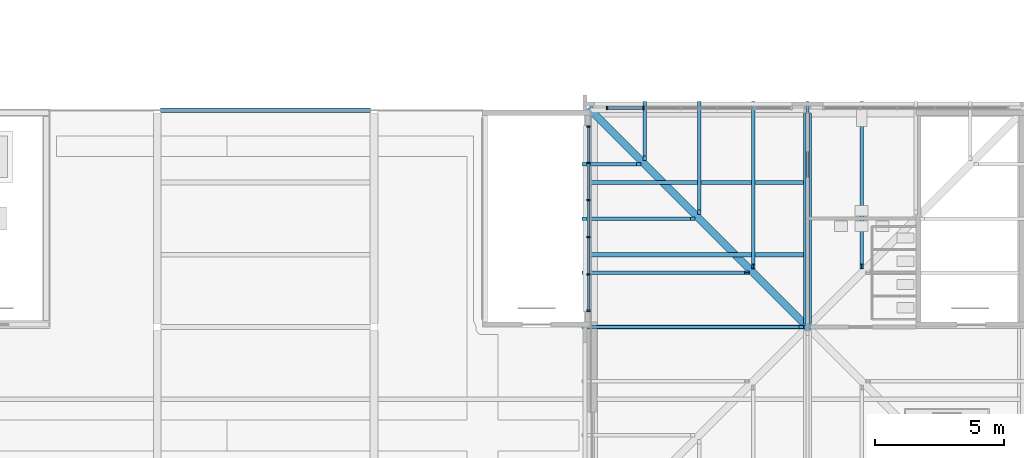
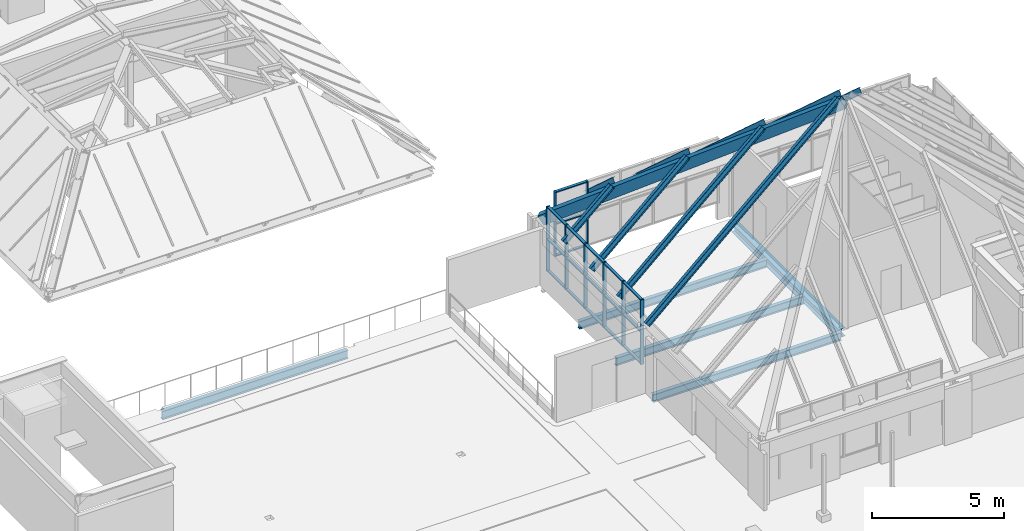
# One storey, part 37 of 126: 35 members, 6 beams, 2 elements without a shape of their own.
"""IFC4 building model written with IfcOpenShell, lengths in metres."""

from ifc_helpers import new_model, si_unit, direction, frame, origin, origin_2d, place, context, subcontext, project, spatial, polyline, rectangle, i_section, outline, extrude, material, material_profile, profile_set, type_object, element, aggregate, save


model = new_model("IFC4")

# Units and contexts
model_context = context("Model", 3, precision=1e-05, world=origin(), true_north=direction((0.0, 1.0)))
body_context = subcontext(model_context, "Body", "Model", "MODEL_VIEW")
ifc_project = project(units=[si_unit("LENGTHUNIT", "METRE"), si_unit("AREAUNIT", "SQUARE_METRE"), si_unit("VOLUMEUNIT", "CUBIC_METRE"), si_unit("PLANEANGLEUNIT", "RADIAN"), si_unit("MASSUNIT", "GRAM", prefix="KILO")], contexts=[model_context])

# Site, building, storey
site_placement = place(None, origin())
site = spatial("IfcSite", under=ifc_project, at=site_placement, CompositionType="ELEMENT")
building_placement = place(site_placement, origin())
building = spatial("IfcBuilding", under=site, at=building_placement, Name="Sava Quay Ferry Terminal", CompositionType="ELEMENT")
storey_placement = place(building_placement, frame((0.0, 0.0, 15.0)))
storey = spatial("IfcBuildingStorey", under=building, at=storey_placement, Name="L03", CompositionType="ELEMENT", Elevation=15.0)

# Beams
ifc_material_1 = material(Name="Steel S355", Category="steel")
ifc_material_profile_1 = material_profile(ifc_material_1, i_section(OverallWidth=0.169921875, OverallDepth=0.360107421875, WebThickness=0.008056640625, FlangeThickness=0.0126953125, at=origin_2d()), Name="IPE 360")
ifc_profile_set_1 = profile_set([ifc_material_profile_1], Name="Steel S355")
beam_type_1 = type_object("IfcBeamType", Name="Beam IPE 360", PredefinedType="BEAM", material=ifc_profile_set_1)
beam_1_placement = place(storey_placement, frame((109.199951171875, 42.0, -0.31005859375), z_axis=(1.0, 0.0, 0.0), x_axis=(0.0, 1.0, 0.0)))
element("IfcBeam", 1, at=beam_1_placement, inside=storey, type_object=beam_type_1, Name="Beam L03", PredefinedType="BEAM", context=body_context, shape_type="SweptSolid", body=[
    extrude(i_section(OverallWidth=0.169921875, OverallDepth=0.360107421875, WebThickness=0.008056640625, FlangeThickness=0.0126953125, at=origin_2d()), origin(), (0.0, 0.0, 1.0), 8.27001953125),
])
for number, where, z_axis, x_axis, name in (
    (2, (109.199951171875, 44.800048828125, -0.31005859375), (1.0, 0.0, 0.0), (0.0, 1.0, 0.0), "Secondary beam L03"),
    (3, (109.199951171875, 47.60009765625, -0.31005859375), (1.0, 0.0, 0.0), (0.0, 1.0, 0.0), "Secondary beam L03"),
):
    element("IfcBeam", number, at=place(storey_placement, frame(where, z_axis=z_axis, x_axis=x_axis)), inside=storey, type_object=beam_type_1, Name=name, PredefinedType="BEAM", context=body_context, shape_type="SweptSolid", body=[
        extrude(i_section(OverallWidth=0.169921875, OverallDepth=0.360107421875, WebThickness=0.008056640625, FlangeThickness=0.0126953125, at=origin_2d()), origin(), (0.0, 0.0, 1.0), 8.25),
    ])
ifc_material_2 = material(Name="Steel S355", Category="steel")
ifc_material_profile_2 = material_profile(ifc_material_2, i_section(OverallWidth=0.179931640625, OverallDepth=0.39990234375, WebThickness=0.008544921875, FlangeThickness=0.013427734375, at=origin_2d()), Name="IPE 400")
ifc_profile_set_2 = profile_set([ifc_material_profile_2], Name="Steel S355")
beam_type_2 = type_object("IfcBeamType", Name="Beam IPE 400", PredefinedType="BEAM", material=ifc_profile_set_2)
beam_2_placement = place(storey_placement, frame((92.530029296875, 50.39990234375, -0.35009765625), z_axis=(1.0, 0.0, 0.0), x_axis=(0.0, 1.0, 0.0)))
element("IfcBeam", 4, at=beam_2_placement, inside=storey, type_object=beam_type_2, Name="Beam L03", PredefinedType="BEAM", context=body_context, shape_type="SweptSolid", body=[
    extrude(i_section(OverallWidth=0.179931640625, OverallDepth=0.39990234375, WebThickness=0.008544921875, FlangeThickness=0.013427734375, at=origin_2d()), origin(), (0.0, 0.0, 1.0), 8.139892578125),
])
ifc_material_3 = material(Name="Steel S355", Category="steel")
ifc_material_profile_3 = material_profile(ifc_material_3, outline(polyline([(-0.14990234375, -0.228515625), (0.14990234375, -0.228515625), (0.14990234375, 0.228515625), (-0.14990234375, 0.228515625), (-0.14990234375, -0.228515625)]), holes=[polyline([(-0.1298828125, -0.20849609375), (-0.1298828125, 0.20849609375), (0.1298828125, 0.20849609375), (0.1298828125, -0.20849609375), (-0.1298828125, -0.20849609375)])]), Name="Box 457x300x20 built-up")
ifc_profile_set_3 = profile_set([ifc_material_profile_3], Name="Steel S355")
beam_type_3 = type_object("IfcBeamType", Name="Fascia beam Box 457x300x20", PredefinedType="BEAM", material=ifc_profile_set_3)
beam_3_placement = place(storey_placement, frame((109.199951171875, 50.39990234375, 2.89990234375), z_axis=(0.596480074169, -0.59646273816, 0.53706957008), x_axis=(0.707096505339, 0.707117056885, 0.0)))
element("IfcBeam", 5, at=beam_3_placement, inside=storey, type_object=beam_type_3, Name="East pavilion hip fascia beam HI2", PredefinedType="BEAM", context=body_context, shape_type="SweptSolid", body=[
    extrude(outline(polyline([(-0.14990234375, -0.228515625), (0.14990234375, -0.228515625), (0.14990234375, 0.228515625), (-0.14990234375, 0.228515625), (-0.14990234375, -0.228515625)]), holes=[polyline([(-0.1298828125, -0.20849609375), (-0.1298828125, 0.20849609375), (0.1298828125, 0.20849609375), (0.1298828125, -0.20849609375), (-0.1298828125, -0.20849609375)])]), origin(), (0.0, 0.0, 1.0), 14.082763671875),
])
ifc_material_4 = material(Name="Steel S355", Category="steel")
ifc_material_profile_4 = material_profile(ifc_material_4, i_section(OverallWidth=0.300048828125, OverallDepth=0.389892578125, WebThickness=0.010986328125, FlangeThickness=0.01904296875, at=origin_2d()), Name="HE 400 A")
ifc_profile_set_4 = profile_set([ifc_material_profile_4], Name="Steel S355")
beam_type_4 = type_object("IfcBeamType", Name="Girder HE 400 A", PredefinedType="BEAM", material=ifc_profile_set_4)
beam_4_placement = place(storey_placement, frame((117.60009765625, 42.1298828125, -0.324951171875), z_axis=(0.0, 1.0, 0.0), x_axis=(-1.0, 0.0, 0.0)))
element("IfcBeam", 6, at=beam_4_placement, inside=storey, type_object=beam_type_4, Name="Girder L03", PredefinedType="BEAM", context=body_context, shape_type="SweptSolid", body=[
    extrude(i_section(OverallWidth=0.300048828125, OverallDepth=0.389892578125, WebThickness=0.010986328125, FlangeThickness=0.01904296875, at=origin_2d()), origin(), (0.0, 0.0, 1.0), 8.14013671875),
])

# Curtain wall, members
ifc_material_5 = material(Name="Aluminium and glass curtain wall, double low-e glazed", Category="aluminium")
curtain_wall_type = type_object("IfcCurtainWallType", Name="Curtain wall CW-F flank", PredefinedType="NOTDEFINED", material=ifc_material_5)
curtain_wall_1_placement = place(storey_placement, origin())
curtain_wall_1 = element("IfcCurtainWall", 7, at=curtain_wall_1_placement, inside=storey, type_object=curtain_wall_type, Name="Curtain wall P-PAV-N L03 bay 1", PredefinedType="NOTDEFINED")
ifc_material_6 = material(Name="Aluminium EN AW-6063 T6", Category="aluminium")
ifc_material_profile_5 = material_profile(ifc_material_6, rectangle(XDim=0.14990234375, YDim=0.06005859375, at=origin_2d()), Name="Mullion 60x150 aluminium")
ifc_profile_set_5 = profile_set([ifc_material_profile_5], Name="Aluminium EN AW-6063 T6")
member_type_1 = type_object("IfcMemberType", Name="Mullion 60x150 aluminium", PredefinedType="MULLION", material=ifc_profile_set_5)
member_1_placement = place(storey_placement, frame((109.830078125, 50.485107421875, 0.89990234375), z_axis=(0.0, 0.0, 1.0), x_axis=(0.0, 1.0, 0.0)))
member_1 = element("IfcMember", 8, at=member_1_placement, type_object=member_type_1, Name="CW115 mullion 1", PredefinedType="MULLION", context=body_context, shape_type="SweptSolid", body=[
    extrude(rectangle(XDim=0.14990234375, YDim=0.06005859375, at=origin_2d()), origin(), (0.0, 0.0, 1.0), 3.0),
])
member_2_placement = place(storey_placement, frame((111.239990234375, 50.485107421875, 0.89990234375), z_axis=(0.0, 0.0, 1.0), x_axis=(0.0, 1.0, 0.0)))
member_2 = element("IfcMember", 9, at=member_2_placement, type_object=member_type_1, Name="CW115 mullion 2", PredefinedType="MULLION", context=body_context, shape_type="SweptSolid", body=[
    extrude(rectangle(XDim=0.14990234375, YDim=0.06005859375, at=origin_2d()), origin(), (0.0, 0.0, 1.0), 3.0),
])

curtain_wall_2_placement = place(storey_placement, origin())
curtain_wall_2 = element("IfcCurtainWall", 10, at=curtain_wall_2_placement, inside=storey, type_object=curtain_wall_type, Name="Curtain wall P-PAV-W L03 bay 2", PredefinedType="NOTDEFINED")
member_3_placement = place(storey_placement, frame((109.114990234375, 42.6298828125, 0.89990234375), z_axis=(0.0, 0.0, 1.0), x_axis=(-1.0, 0.0, 0.0)))
member_3 = element("IfcMember", 11, at=member_3_placement, type_object=member_type_1, Name="CW118 mullion 1", PredefinedType="MULLION", context=body_context, shape_type="SweptSolid", body=[
    extrude(rectangle(XDim=0.14990234375, YDim=0.06005859375, at=origin_2d()), origin(), (0.0, 0.0, 1.0), 3.0),
])
member_4_placement = place(storey_placement, frame((109.114990234375, 44.0400390625, 0.89990234375), z_axis=(0.0, 0.0, 1.0), x_axis=(-1.0, 0.0, 0.0)))
member_4 = element("IfcMember", 12, at=member_4_placement, type_object=member_type_1, Name="CW118 mullion 2", PredefinedType="MULLION", context=body_context, shape_type="SweptSolid", body=[
    extrude(rectangle(XDim=0.14990234375, YDim=0.06005859375, at=origin_2d()), origin(), (0.0, 0.0, 1.0), 3.0),
])
member_5_placement = place(storey_placement, frame((109.114990234375, 45.47998046875, 0.89990234375), z_axis=(0.0, 0.0, 1.0), x_axis=(-1.0, 0.0, 0.0)))
member_5 = element("IfcMember", 13, at=member_5_placement, type_object=member_type_1, Name="CW118 mullion 3", PredefinedType="MULLION", context=body_context, shape_type="SweptSolid", body=[
    extrude(rectangle(XDim=0.14990234375, YDim=0.06005859375, at=origin_2d()), origin(), (0.0, 0.0, 1.0), 3.0),
])
member_6_placement = place(storey_placement, frame((109.114990234375, 46.919921875, 0.89990234375), z_axis=(0.0, 0.0, 1.0), x_axis=(-1.0, 0.0, 0.0)))
member_6 = element("IfcMember", 14, at=member_6_placement, type_object=member_type_1, Name="CW118 mullion 4", PredefinedType="MULLION", context=body_context, shape_type="SweptSolid", body=[
    extrude(rectangle(XDim=0.14990234375, YDim=0.06005859375, at=origin_2d()), origin(), (0.0, 0.0, 1.0), 3.0),
])
member_7_placement = place(storey_placement, frame((109.114990234375, 48.360107421875, 0.89990234375), z_axis=(0.0, 0.0, 1.0), x_axis=(-1.0, 0.0, 0.0)))
member_7 = element("IfcMember", 15, at=member_7_placement, type_object=member_type_1, Name="CW118 mullion 5", PredefinedType="MULLION", context=body_context, shape_type="SweptSolid", body=[
    extrude(rectangle(XDim=0.14990234375, YDim=0.06005859375, at=origin_2d()), origin(), (0.0, 0.0, 1.0), 3.0),
])
member_8_placement = place(storey_placement, frame((109.114990234375, 49.77001953125, 0.89990234375), z_axis=(0.0, 0.0, 1.0), x_axis=(-1.0, 0.0, 0.0)))
member_8 = element("IfcMember", 16, at=member_8_placement, type_object=member_type_1, Name="CW118 mullion 6", PredefinedType="MULLION", context=body_context, shape_type="SweptSolid", body=[
    extrude(rectangle(XDim=0.14990234375, YDim=0.06005859375, at=origin_2d()), origin(), (0.0, 0.0, 1.0), 3.0),
])

# Members
ifc_material_7 = material(Name="Steel S355", Category="steel")
ifc_material_profile_6 = material_profile(ifc_material_7, i_section(OverallWidth=0.135009765625, OverallDepth=0.27001953125, WebThickness=0.006591796875, FlangeThickness=0.01025390625, at=origin_2d()), Name="IPE 270")
ifc_profile_set_6 = profile_set([ifc_material_profile_6], Name="Steel S355")
member_type_2 = type_object("IfcMemberType", Name="Roof rafter IPE 270", PredefinedType="RAFTER", material=ifc_profile_set_6)
member_9_placement = place(storey_placement, frame((119.699951171875, 50.643310546875, 3.170166015625), z_axis=(0.0, -0.743143770971, 0.669131777505), x_axis=(1.0, 0.0, 0.0)))
element("IfcMember", 17, at=member_9_placement, inside=storey, type_object=member_type_2, Name="East pavilion rafter RA17", PredefinedType="RAFTER", context=body_context, shape_type="SweptSolid", body=[
    extrude(i_section(OverallWidth=0.135009765625, OverallDepth=0.27001953125, WebThickness=0.006591796875, FlangeThickness=0.01025390625, at=origin_2d()), origin(), (0.0, 0.0, 1.0), 8.4775390625),
])
member_10_placement = place(storey_placement, frame((117.60009765625, 50.643310546875, 3.170166015625), z_axis=(0.0, -0.74314699448, 0.66912819743), x_axis=(1.0, 0.0, 0.0)))
element("IfcMember", 18, at=member_10_placement, inside=storey, type_object=member_type_2, Name="East pavilion rafter RA18", PredefinedType="RAFTER", context=body_context, shape_type="SweptSolid", body=[
    extrude(i_section(OverallWidth=0.135009765625, OverallDepth=0.27001953125, WebThickness=0.006591796875, FlangeThickness=0.01025390625, at=origin_2d()), origin(), (0.0, 0.0, 1.0), 11.303466796875),
])
member_11_placement = place(storey_placement, frame((115.5, 50.643310546875, 3.170166015625), z_axis=(0.0, -0.743143770971, 0.669131777505), x_axis=(1.0, 0.0, 0.0)))
element("IfcMember", 19, at=member_11_placement, inside=storey, type_object=member_type_2, Name="East pavilion rafter RA19", PredefinedType="RAFTER", context=body_context, shape_type="SweptSolid", body=[
    extrude(i_section(OverallWidth=0.135009765625, OverallDepth=0.27001953125, WebThickness=0.006591796875, FlangeThickness=0.01025390625, at=origin_2d()), origin(), (0.0, 0.0, 1.0), 8.4775390625),
])
member_12_placement = place(storey_placement, frame((113.39990234375, 50.643310546875, 3.170166015625), z_axis=(0.0, -0.743156664694, 0.669117457342), x_axis=(1.0, 0.0, 0.0)))
element("IfcMember", 20, at=member_12_placement, inside=storey, type_object=member_type_2, Name="East pavilion rafter RA20", PredefinedType="RAFTER", context=body_context, shape_type="SweptSolid", body=[
    extrude(i_section(OverallWidth=0.135009765625, OverallDepth=0.27001953125, WebThickness=0.006591796875, FlangeThickness=0.01025390625, at=origin_2d()), origin(), (0.0, 0.0, 1.0), 5.65185546875),
])
for number, where, z_axis, x_axis, name in (
    (21, (111.300048828125, 50.643310546875, 3.170166015625), (0.0, -0.743156664694, 0.669117457342), (1.0, 0.0, 0.0), "East pavilion rafter RA21"),
    (22, (108.956787109375, 48.300048828125, 3.170166015625), (0.743156664694, 0.0, 0.669117457342), (0.0, 1.0, 0.0), "East pavilion rafter RA22"),
):
    element("IfcMember", number, at=place(storey_placement, frame(where, z_axis=z_axis, x_axis=x_axis)), inside=storey, type_object=member_type_2, Name=name, PredefinedType="RAFTER", context=body_context, shape_type="SweptSolid", body=[
        extrude(i_section(OverallWidth=0.135009765625, OverallDepth=0.27001953125, WebThickness=0.006591796875, FlangeThickness=0.01025390625, at=origin_2d()), origin(), (0.0, 0.0, 1.0), 2.825927734375),
    ])
member_13_placement = place(storey_placement, frame((108.956787109375, 46.199951171875, 3.170166015625), z_axis=(0.743137323799, 0.0, 0.669138937723), x_axis=(0.0, 1.0, 0.0)))
element("IfcMember", 23, at=member_13_placement, inside=storey, type_object=member_type_2, Name="East pavilion rafter RA23", PredefinedType="RAFTER", context=body_context, shape_type="SweptSolid", body=[
    extrude(i_section(OverallWidth=0.135009765625, OverallDepth=0.27001953125, WebThickness=0.006591796875, FlangeThickness=0.01025390625, at=origin_2d()), origin(), (0.0, 0.0, 1.0), 5.651611328125),
])
member_14_placement = place(storey_placement, frame((108.956787109375, 44.10009765625, 3.170166015625), z_axis=(0.743143770971, 0.0, 0.669131777505), x_axis=(0.0, 1.0, 0.0)))
element("IfcMember", 24, at=member_14_placement, inside=storey, type_object=member_type_2, Name="East pavilion rafter RA24", PredefinedType="RAFTER", context=body_context, shape_type="SweptSolid", body=[
    extrude(i_section(OverallWidth=0.135009765625, OverallDepth=0.27001953125, WebThickness=0.006591796875, FlangeThickness=0.01025390625, at=origin_2d()), origin(), (0.0, 0.0, 1.0), 8.4775390625),
])
member_15_placement = place(storey_placement, frame((108.956787109375, 42.0, 3.170166015625), z_axis=(0.743137323799, 0.0, 0.669138937723), x_axis=(0.0, 1.0, 0.0)))
element("IfcMember", 25, at=member_15_placement, inside=storey, type_object=member_type_2, Name="East pavilion rafter RA25", PredefinedType="RAFTER", context=body_context, shape_type="SweptSolid", body=[
    extrude(i_section(OverallWidth=0.135009765625, OverallDepth=0.27001953125, WebThickness=0.006591796875, FlangeThickness=0.01025390625, at=origin_2d()), origin(), (0.0, 0.0, 1.0), 11.30322265625),
])

# Member
ifc_material_8 = material(Name="Aluminium EN AW-6063 T6", Category="aluminium")
ifc_material_profile_7 = material_profile(ifc_material_8, rectangle(XDim=0.1201171875, YDim=0.050048828125, at=origin_2d()), Name="Transom 50x120 aluminium")
ifc_profile_set_7 = profile_set([ifc_material_profile_7], Name="Aluminium EN AW-6063 T6")
member_type_3 = type_object("IfcMemberType", Name="Transom 50x120 aluminium", PredefinedType="USERDEFINED", material=ifc_profile_set_7)
member_16_placement = place(storey_placement, frame((109.860107421875, 50.485107421875, 0.925048828125), z_axis=(1.0, 0.0, 0.0), x_axis=(0.0, 1.0, 0.0)))
member_16 = element("IfcMember", 26, at=member_16_placement, type_object=member_type_3, Name="CW115 transom 1.1", ObjectType="TRANSOM", PredefinedType="USERDEFINED", context=body_context, shape_type="SweptSolid", body=[
    extrude(rectangle(XDim=0.1201171875, YDim=0.050048828125, at=origin_2d()), origin(), (0.0, 0.0, 1.0), 1.349853515625),
])

member_17_placement = place(storey_placement, frame((109.860107421875, 50.485107421875, 2.39990234375), z_axis=(1.0, 0.0, 0.0), x_axis=(0.0, 1.0, 0.0)))
member_17 = element("IfcMember", 27, at=member_17_placement, type_object=member_type_3, Name="CW115 transom 1.2", ObjectType="TRANSOM", PredefinedType="USERDEFINED", context=body_context, shape_type="SweptSolid", body=[
    extrude(rectangle(XDim=0.1201171875, YDim=0.050048828125, at=origin_2d()), origin(), (0.0, 0.0, 1.0), 1.349853515625),
])

member_18_placement = place(storey_placement, frame((109.860107421875, 50.485107421875, 3.875), z_axis=(1.0, 0.0, 0.0), x_axis=(0.0, 1.0, 0.0)))
member_18 = element("IfcMember", 28, at=member_18_placement, type_object=member_type_3, Name="CW115 transom 1.3", ObjectType="TRANSOM", PredefinedType="USERDEFINED", context=body_context, shape_type="SweptSolid", body=[
    extrude(rectangle(XDim=0.1201171875, YDim=0.050048828125, at=origin_2d()), origin(), (0.0, 0.0, 1.0), 1.349853515625),
])

aggregate(curtain_wall_1, [member_1, member_2, member_16, member_17, member_18])

member_19_placement = place(storey_placement, frame((109.114990234375, 42.659912109375, 0.925048828125), z_axis=(0.0, 1.0, 0.0), x_axis=(-1.0, 0.0, 0.0)))
member_19 = element("IfcMember", 29, at=member_19_placement, type_object=member_type_3, Name="CW118 transom 1.1", ObjectType="TRANSOM", PredefinedType="USERDEFINED", context=body_context, shape_type="SweptSolid", body=[
    extrude(rectangle(XDim=0.1201171875, YDim=0.050048828125, at=origin_2d()), origin(), (0.0, 0.0, 1.0), 1.35009765625),
])

member_20_placement = place(storey_placement, frame((109.114990234375, 42.659912109375, 2.39990234375), z_axis=(0.0, 1.0, 0.0), x_axis=(-1.0, 0.0, 0.0)))
member_20 = element("IfcMember", 30, at=member_20_placement, type_object=member_type_3, Name="CW118 transom 1.2", ObjectType="TRANSOM", PredefinedType="USERDEFINED", context=body_context, shape_type="SweptSolid", body=[
    extrude(rectangle(XDim=0.1201171875, YDim=0.050048828125, at=origin_2d()), origin(), (0.0, 0.0, 1.0), 1.35009765625),
])

member_21_placement = place(storey_placement, frame((109.114990234375, 42.659912109375, 3.875), z_axis=(0.0, 1.0, 0.0), x_axis=(-1.0, 0.0, 0.0)))
member_21 = element("IfcMember", 31, at=member_21_placement, type_object=member_type_3, Name="CW118 transom 1.3", ObjectType="TRANSOM", PredefinedType="USERDEFINED", context=body_context, shape_type="SweptSolid", body=[
    extrude(rectangle(XDim=0.1201171875, YDim=0.050048828125, at=origin_2d()), origin(), (0.0, 0.0, 1.0), 1.35009765625),
])

member_22_placement = place(storey_placement, frame((109.114990234375, 44.070068359375, 0.925048828125), z_axis=(0.0, 1.0, 0.0), x_axis=(-1.0, 0.0, 0.0)))
member_22 = element("IfcMember", 32, at=member_22_placement, type_object=member_type_3, Name="CW118 transom 2.1", ObjectType="TRANSOM", PredefinedType="USERDEFINED", context=body_context, shape_type="SweptSolid", body=[
    extrude(rectangle(XDim=0.1201171875, YDim=0.050048828125, at=origin_2d()), origin(), (0.0, 0.0, 1.0), 1.3798828125),
])

member_23_placement = place(storey_placement, frame((109.114990234375, 44.070068359375, 2.39990234375), z_axis=(0.0, 1.0, 0.0), x_axis=(-1.0, 0.0, 0.0)))
member_23 = element("IfcMember", 33, at=member_23_placement, type_object=member_type_3, Name="CW118 transom 2.2", ObjectType="TRANSOM", PredefinedType="USERDEFINED", context=body_context, shape_type="SweptSolid", body=[
    extrude(rectangle(XDim=0.1201171875, YDim=0.050048828125, at=origin_2d()), origin(), (0.0, 0.0, 1.0), 1.3798828125),
])

member_24_placement = place(storey_placement, frame((109.114990234375, 44.070068359375, 3.875), z_axis=(0.0, 1.0, 0.0), x_axis=(-1.0, 0.0, 0.0)))
member_24 = element("IfcMember", 34, at=member_24_placement, type_object=member_type_3, Name="CW118 transom 2.3", ObjectType="TRANSOM", PredefinedType="USERDEFINED", context=body_context, shape_type="SweptSolid", body=[
    extrude(rectangle(XDim=0.1201171875, YDim=0.050048828125, at=origin_2d()), origin(), (0.0, 0.0, 1.0), 1.3798828125),
])

member_25_placement = place(storey_placement, frame((109.114990234375, 45.510009765625, 0.925048828125), z_axis=(0.0, 1.0, 0.0), x_axis=(-1.0, 0.0, 0.0)))
member_25 = element("IfcMember", 35, at=member_25_placement, type_object=member_type_3, Name="CW118 transom 3.1", ObjectType="TRANSOM", PredefinedType="USERDEFINED", context=body_context, shape_type="SweptSolid", body=[
    extrude(rectangle(XDim=0.1201171875, YDim=0.050048828125, at=origin_2d()), origin(), (0.0, 0.0, 1.0), 1.3798828125),
])

member_26_placement = place(storey_placement, frame((109.114990234375, 45.510009765625, 2.39990234375), z_axis=(0.0, 1.0, 0.0), x_axis=(-1.0, 0.0, 0.0)))
member_26 = element("IfcMember", 36, at=member_26_placement, type_object=member_type_3, Name="CW118 transom 3.2", ObjectType="TRANSOM", PredefinedType="USERDEFINED", context=body_context, shape_type="SweptSolid", body=[
    extrude(rectangle(XDim=0.1201171875, YDim=0.050048828125, at=origin_2d()), origin(), (0.0, 0.0, 1.0), 1.3798828125),
])

member_27_placement = place(storey_placement, frame((109.114990234375, 45.510009765625, 3.875), z_axis=(0.0, 1.0, 0.0), x_axis=(-1.0, 0.0, 0.0)))
member_27 = element("IfcMember", 37, at=member_27_placement, type_object=member_type_3, Name="CW118 transom 3.3", ObjectType="TRANSOM", PredefinedType="USERDEFINED", context=body_context, shape_type="SweptSolid", body=[
    extrude(rectangle(XDim=0.1201171875, YDim=0.050048828125, at=origin_2d()), origin(), (0.0, 0.0, 1.0), 1.3798828125),
])

member_28_placement = place(storey_placement, frame((109.114990234375, 46.949951171875, 0.925048828125), z_axis=(0.0, 1.0, 0.0), x_axis=(-1.0, 0.0, 0.0)))
member_28 = element("IfcMember", 38, at=member_28_placement, type_object=member_type_3, Name="CW118 transom 4.1", ObjectType="TRANSOM", PredefinedType="USERDEFINED", context=body_context, shape_type="SweptSolid", body=[
    extrude(rectangle(XDim=0.1201171875, YDim=0.050048828125, at=origin_2d()), origin(), (0.0, 0.0, 1.0), 1.380126953125),
])

member_29_placement = place(storey_placement, frame((109.114990234375, 46.949951171875, 2.39990234375), z_axis=(0.0, 1.0, 0.0), x_axis=(-1.0, 0.0, 0.0)))
member_29 = element("IfcMember", 39, at=member_29_placement, type_object=member_type_3, Name="CW118 transom 4.2", ObjectType="TRANSOM", PredefinedType="USERDEFINED", context=body_context, shape_type="SweptSolid", body=[
    extrude(rectangle(XDim=0.1201171875, YDim=0.050048828125, at=origin_2d()), origin(), (0.0, 0.0, 1.0), 1.380126953125),
])

member_30_placement = place(storey_placement, frame((109.114990234375, 46.949951171875, 3.875), z_axis=(0.0, 1.0, 0.0), x_axis=(-1.0, 0.0, 0.0)))
member_30 = element("IfcMember", 40, at=member_30_placement, type_object=member_type_3, Name="CW118 transom 4.3", ObjectType="TRANSOM", PredefinedType="USERDEFINED", context=body_context, shape_type="SweptSolid", body=[
    extrude(rectangle(XDim=0.1201171875, YDim=0.050048828125, at=origin_2d()), origin(), (0.0, 0.0, 1.0), 1.380126953125),
])

member_31_placement = place(storey_placement, frame((109.114990234375, 48.389892578125, 0.925048828125), z_axis=(0.0, 1.0, 0.0), x_axis=(-1.0, 0.0, 0.0)))
member_31 = element("IfcMember", 41, at=member_31_placement, type_object=member_type_3, Name="CW118 transom 5.1", ObjectType="TRANSOM", PredefinedType="USERDEFINED", context=body_context, shape_type="SweptSolid", body=[
    extrude(rectangle(XDim=0.1201171875, YDim=0.050048828125, at=origin_2d()), origin(), (0.0, 0.0, 1.0), 1.35009765625),
])

member_32_placement = place(storey_placement, frame((109.114990234375, 48.389892578125, 2.39990234375), z_axis=(0.0, 1.0, 0.0), x_axis=(-1.0, 0.0, 0.0)))
member_32 = element("IfcMember", 42, at=member_32_placement, type_object=member_type_3, Name="CW118 transom 5.2", ObjectType="TRANSOM", PredefinedType="USERDEFINED", context=body_context, shape_type="SweptSolid", body=[
    extrude(rectangle(XDim=0.1201171875, YDim=0.050048828125, at=origin_2d()), origin(), (0.0, 0.0, 1.0), 1.35009765625),
])

member_33_placement = place(storey_placement, frame((109.114990234375, 48.389892578125, 3.875), z_axis=(0.0, 1.0, 0.0), x_axis=(-1.0, 0.0, 0.0)))
member_33 = element("IfcMember", 43, at=member_33_placement, type_object=member_type_3, Name="CW118 transom 5.3", ObjectType="TRANSOM", PredefinedType="USERDEFINED", context=body_context, shape_type="SweptSolid", body=[
    extrude(rectangle(XDim=0.1201171875, YDim=0.050048828125, at=origin_2d()), origin(), (0.0, 0.0, 1.0), 1.35009765625),
])

aggregate(curtain_wall_2, [member_3, member_4, member_5, member_6, member_7, member_8, member_19, member_20, member_21, member_22, member_23, member_24, member_25, member_26, member_27, member_28, member_29, member_30, member_31, member_32, member_33])

save(model, "model.ifc")
